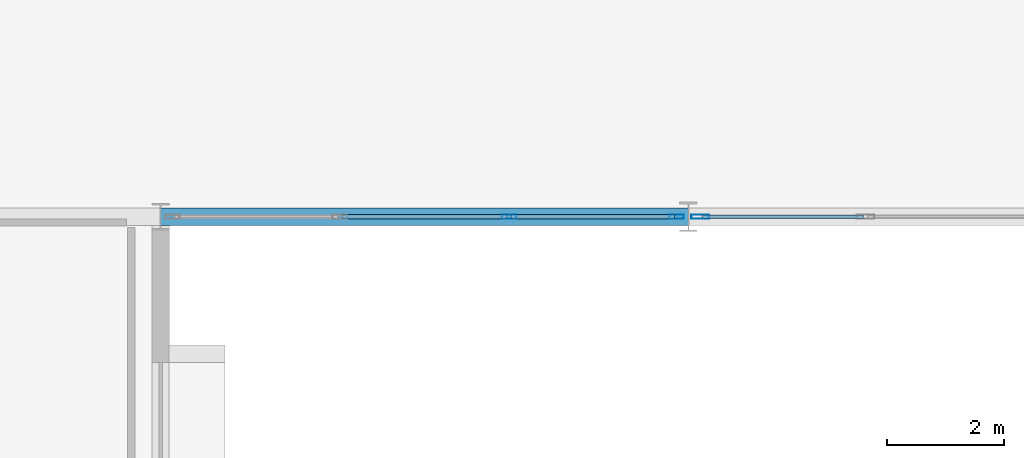
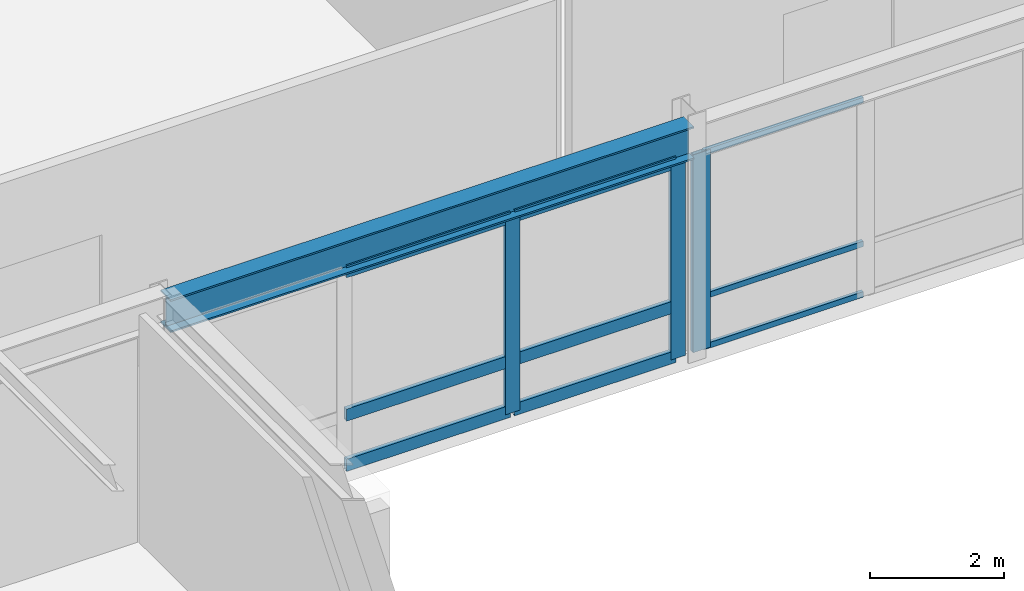
# One storey, part 29 of 67: 12 members, 1 beam, 2 elements without a shape of their own.
"""IFC4 building model written with IfcOpenShell, lengths in metres."""

from ifc_helpers import new_model, si_unit, direction, frame, origin, origin_2d, place, context, subcontext, project, spatial, hollow_rectangle, i_section, extrude, material, layer, layer_set, material_profile, profile_set, type_object, element, aggregate, save


model = new_model("IFC4")

# Units and contexts
model_context = context("Model", 3, precision=1e-05, world=origin(), true_north=direction((0.0, 1.0)))
body_context = subcontext(model_context, "Body", "Model", "MODEL_VIEW")
ifc_project = project(units=[si_unit("LENGTHUNIT", "METRE"), si_unit("AREAUNIT", "SQUARE_METRE"), si_unit("VOLUMEUNIT", "CUBIC_METRE"), si_unit("PLANEANGLEUNIT", "RADIAN"), si_unit("MASSUNIT", "GRAM", prefix="KILO")], contexts=[model_context])

# Site, building, storey
site_placement = place(None, origin())
site = spatial("IfcSite", under=ifc_project, at=site_placement, CompositionType="ELEMENT")
building_placement = place(site_placement, origin())
building = spatial("IfcBuilding", under=site, at=building_placement, Name="Montelvaro Courts of Justice", CompositionType="ELEMENT")
storey_placement = place(building_placement, frame((0.0, 0.0, 18.89990234375)))
storey = spatial("IfcBuildingStorey", under=building, at=storey_placement, Name="L04", CompositionType="ELEMENT", Elevation=18.89990234375)

# Beam
ifc_material_1 = material(Name="Steel S355", Category="steel")
ifc_material_profile_1 = material_profile(ifc_material_1, i_section(OverallWidth=0.300048828125, OverallDepth=0.60009765625, WebThickness=0.015380859375, FlangeThickness=0.030029296875, at=origin_2d()), Name="HEB 600")
ifc_profile_set_1 = profile_set([ifc_material_profile_1], Name="Steel S355")
beam_type = type_object("IfcBeamType", Name="Beam_HEB600", PredefinedType="USERDEFINED", material=ifc_profile_set_1)
beam_placement = place(storey_placement, frame((135.0, 78.0, 3.900146484375), z_axis=(1.0, 0.0, 0.0), x_axis=(0.0, 1.0, 0.0)))
element("IfcBeam", 1, at=beam_placement, inside=storey, type_object=beam_type, Name="V2 Roof Eave Girder", ObjectType="GIRDER", PredefinedType="USERDEFINED", context=body_context, shape_type="SweptSolid", body=[
    extrude(i_section(OverallWidth=0.300048828125, OverallDepth=0.60009765625, WebThickness=0.015380859375, FlangeThickness=0.030029296875, at=origin_2d()), origin(), (0.0, 0.0, 1.0), 9.0),
])

# Curtain wall, members
ifc_material_2 = material(Name="Anodised aluminium EN AW-6063", Category="aluminium")
ifc_layer_1 = layer(ifc_material_2, 0.159912109375)
ifc_layer_set_1 = layer_set([ifc_layer_1], Name="Anodised aluminium EN AW-6063")
curtain_wall_type_1 = type_object("IfcCurtainWallType", Name="CurtainWall_14_867x418", PredefinedType="USERDEFINED", material=ifc_layer_set_1)
curtain_wall_1_placement = place(storey_placement, origin())
curtain_wall_1 = element("IfcCurtainWall", 2, at=curtain_wall_1_placement, inside=storey, type_object=curtain_wall_type_1, Name="Curtain Wall CW-14 (L04)", ObjectType="CURTAIN WALL", PredefinedType="USERDEFINED")
ifc_material_profile_2 = material_profile(ifc_material_2, hollow_rectangle(XDim=0.074951171875, YDim=0.25, WallThickness=0.005615234375, at=origin_2d()), Name="ALU-M 75x250")
ifc_profile_set_2 = profile_set([ifc_material_profile_2], Name="Anodised aluminium EN AW-6063")
member_type_1 = type_object("IfcMemberType", Name="CurtainWall_Mullion_75x250", PredefinedType="MULLION", material=ifc_profile_set_2)
member_1_placement = place(storey_placement, frame((140.945068359375, 78.0, 0.0), z_axis=(0.0, 0.0, 1.0), x_axis=(0.0, 1.0, 0.0)))
member_1 = element("IfcMember", 3, at=member_1_placement, type_object=member_type_1, Name="CW-14 mullion 3", PredefinedType="MULLION", context=body_context, shape_type="SweptSolid", body=[
    extrude(hollow_rectangle(XDim=0.074951171875, YDim=0.25, WallThickness=0.005615234375, at=origin_2d()), origin(), (0.0, 0.0, 1.0), 3.59521484375),
])
member_2_placement = place(storey_placement, frame((143.797607421875, 78.0, 0.0), z_axis=(0.0, 0.0, 1.0), x_axis=(0.0, 1.0, 0.0)))
member_2 = element("IfcMember", 4, at=member_2_placement, type_object=member_type_1, Name="CW-14 mullion 4", PredefinedType="MULLION", context=body_context, shape_type="SweptSolid", body=[
    extrude(hollow_rectangle(XDim=0.074951171875, YDim=0.25, WallThickness=0.005615234375, at=origin_2d()), origin(), (0.0, 0.0, 1.0), 3.59521484375),
])

ifc_layer_2 = layer(ifc_material_2, 0.159912109375)
ifc_layer_set_2 = layer_set([ifc_layer_2], Name="Anodised aluminium EN AW-6063")
curtain_wall_type_2 = type_object("IfcCurtainWallType", Name="CurtainWall_13_857x418", PredefinedType="USERDEFINED", material=ifc_layer_set_2)
curtain_wall_2_placement = place(storey_placement, origin())
curtain_wall_2 = element("IfcCurtainWall", 5, at=curtain_wall_2_placement, inside=storey, type_object=curtain_wall_type_2, Name="Curtain Wall CW-13 (L04)", ObjectType="CURTAIN WALL", PredefinedType="USERDEFINED")
ifc_material_profile_3 = material_profile(ifc_material_2, hollow_rectangle(XDim=0.074951171875, YDim=0.300048828125, WallThickness=0.006103515625, at=origin_2d()), Name="ALU-M 75x300")
ifc_profile_set_3 = profile_set([ifc_material_profile_3], Name="Anodised aluminium EN AW-6063")
member_type_2 = type_object("IfcMemberType", Name="CurtainWall_Mullion_75x300", PredefinedType="MULLION", material=ifc_profile_set_3)
member_3_placement = place(storey_placement, frame((144.202392578125, 78.0, 0.0), z_axis=(0.0, 0.0, 1.0), x_axis=(0.0, 1.0, 0.0)))
member_3 = element("IfcMember", 6, at=member_3_placement, type_object=member_type_2, Name="CW-13 mullion 1", PredefinedType="MULLION", context=body_context, shape_type="SweptSolid", body=[
    extrude(hollow_rectangle(XDim=0.074951171875, YDim=0.300048828125, WallThickness=0.006103515625, at=origin_2d()), origin(), (0.0, 0.0, 1.0), 3.59521484375),
])
ifc_material_profile_4 = material_profile(ifc_material_2, hollow_rectangle(XDim=0.06005859375, YDim=0.10009765625, WallThickness=0.00341796875, at=origin_2d()), Name="ALU-T 60x100")
ifc_profile_set_4 = profile_set([ifc_material_profile_4], Name="Anodised aluminium EN AW-6063")
member_type_3 = type_object("IfcMemberType", Name="CurtainWall_Transom_60x100", PredefinedType="USERDEFINED", material=ifc_profile_set_4)
member_4_placement = place(storey_placement, frame((144.239990234375, 78.0, 0.030029296875), z_axis=(1.0, 0.0, 0.0), x_axis=(0.0, 1.0, 0.0)))
member_4 = element("IfcMember", 7, at=member_4_placement, type_object=member_type_3, Name="CW-13 transom 1.1", ObjectType="TRANSOM", PredefinedType="USERDEFINED", context=body_context, shape_type="SweptSolid", body=[
    extrude(hollow_rectangle(XDim=0.06005859375, YDim=0.10009765625, WallThickness=0.00341796875, at=origin_2d()), origin(), (0.0, 0.0, 1.0), 2.744140625),
])
member_5_placement = place(storey_placement, frame((144.239990234375, 78.0, 0.9501953125), z_axis=(1.0, 0.0, 0.0), x_axis=(0.0, 1.0, 0.0)))
member_5 = element("IfcMember", 8, at=member_5_placement, type_object=member_type_3, Name="CW-13 transom 1.2", ObjectType="TRANSOM", PredefinedType="USERDEFINED", context=body_context, shape_type="SweptSolid", body=[
    extrude(hollow_rectangle(XDim=0.06005859375, YDim=0.10009765625, WallThickness=0.00341796875, at=origin_2d()), origin(), (0.0, 0.0, 1.0), 2.744140625),
])
member_6_placement = place(storey_placement, frame((144.239990234375, 78.0, 3.565185546875), z_axis=(1.0, 0.0, 0.0), x_axis=(0.0, 1.0, 0.0)))
member_6 = element("IfcMember", 9, at=member_6_placement, type_object=member_type_3, Name="CW-13 transom 1.3", ObjectType="TRANSOM", PredefinedType="USERDEFINED", context=body_context, shape_type="SweptSolid", body=[
    extrude(hollow_rectangle(XDim=0.06005859375, YDim=0.10009765625, WallThickness=0.00341796875, at=origin_2d()), origin(), (0.0, 0.0, 1.0), 2.744140625),
])
aggregate(curtain_wall_2, [member_3, member_4, member_5, member_6])

# Member
ifc_material_profile_5 = material_profile(ifc_material_2, hollow_rectangle(XDim=0.074951171875, YDim=0.219970703125, WallThickness=0.005615234375, at=origin_2d()), Name="ALU-T 75x220")
ifc_profile_set_5 = profile_set([ifc_material_profile_5], Name="Anodised aluminium EN AW-6063")
member_type_4 = type_object("IfcMemberType", Name="CurtainWall_Transom_75x220", PredefinedType="USERDEFINED", material=ifc_profile_set_5)
member_7_placement = place(storey_placement, frame((138.092529296875, 78.0, 0.03759765625), z_axis=(1.0, 0.0, 0.0), x_axis=(0.0, 1.0, 0.0)))
member_7 = element("IfcMember", 10, at=member_7_placement, type_object=member_type_4, Name="CW-14 transom 2.1", ObjectType="TRANSOM", PredefinedType="USERDEFINED", context=body_context, shape_type="SweptSolid", body=[
    extrude(hollow_rectangle(XDim=0.074951171875, YDim=0.219970703125, WallThickness=0.005615234375, at=origin_2d()), origin(), (0.0, 0.0, 1.0), 2.81494140625),
])

member_8_placement = place(storey_placement, frame((138.092529296875, 78.0, 0.9501953125), z_axis=(1.0, 0.0, 0.0), x_axis=(0.0, 1.0, 0.0)))
member_8 = element("IfcMember", 11, at=member_8_placement, type_object=member_type_4, Name="CW-14 transom 2.2", ObjectType="TRANSOM", PredefinedType="USERDEFINED", context=body_context, shape_type="SweptSolid", body=[
    extrude(hollow_rectangle(XDim=0.074951171875, YDim=0.219970703125, WallThickness=0.005615234375, at=origin_2d()), origin(), (0.0, 0.0, 1.0), 2.81494140625),
])

member_9_placement = place(storey_placement, frame((138.092529296875, 78.0, 3.5576171875), z_axis=(1.0, 0.0, 0.0), x_axis=(0.0, 1.0, 0.0)))
member_9 = element("IfcMember", 12, at=member_9_placement, type_object=member_type_4, Name="CW-14 transom 2.3", ObjectType="TRANSOM", PredefinedType="USERDEFINED", context=body_context, shape_type="SweptSolid", body=[
    extrude(hollow_rectangle(XDim=0.074951171875, YDim=0.219970703125, WallThickness=0.005615234375, at=origin_2d()), origin(), (0.0, 0.0, 1.0), 2.81494140625),
])

member_10_placement = place(storey_placement, frame((140.982421875, 78.0, 0.03759765625), z_axis=(1.0, 0.0, 0.0), x_axis=(0.0, 1.0, 0.0)))
member_10 = element("IfcMember", 13, at=member_10_placement, type_object=member_type_4, Name="CW-14 transom 3.1", ObjectType="TRANSOM", PredefinedType="USERDEFINED", context=body_context, shape_type="SweptSolid", body=[
    extrude(hollow_rectangle(XDim=0.074951171875, YDim=0.219970703125, WallThickness=0.005615234375, at=origin_2d()), origin(), (0.0, 0.0, 1.0), 2.777587890625),
])

member_11_placement = place(storey_placement, frame((140.982421875, 78.0, 0.9501953125), z_axis=(1.0, 0.0, 0.0), x_axis=(0.0, 1.0, 0.0)))
member_11 = element("IfcMember", 14, at=member_11_placement, type_object=member_type_4, Name="CW-14 transom 3.2", ObjectType="TRANSOM", PredefinedType="USERDEFINED", context=body_context, shape_type="SweptSolid", body=[
    extrude(hollow_rectangle(XDim=0.074951171875, YDim=0.219970703125, WallThickness=0.005615234375, at=origin_2d()), origin(), (0.0, 0.0, 1.0), 2.777587890625),
])

member_12_placement = place(storey_placement, frame((140.982421875, 78.0, 3.5576171875), z_axis=(1.0, 0.0, 0.0), x_axis=(0.0, 1.0, 0.0)))
member_12 = element("IfcMember", 15, at=member_12_placement, type_object=member_type_4, Name="CW-14 transom 3.3", ObjectType="TRANSOM", PredefinedType="USERDEFINED", context=body_context, shape_type="SweptSolid", body=[
    extrude(hollow_rectangle(XDim=0.074951171875, YDim=0.219970703125, WallThickness=0.005615234375, at=origin_2d()), origin(), (0.0, 0.0, 1.0), 2.777587890625),
])

aggregate(curtain_wall_1, [member_1, member_2, member_7, member_8, member_9, member_10, member_11, member_12])

save(model, "model.ifc")
